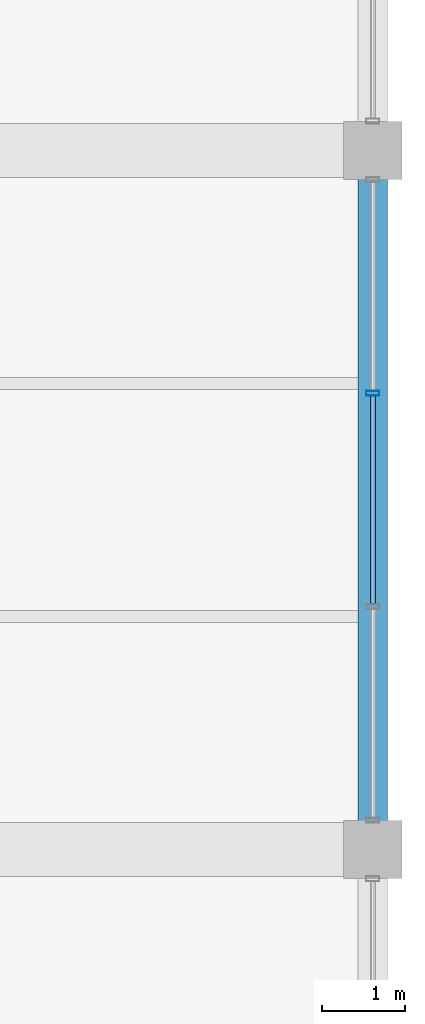
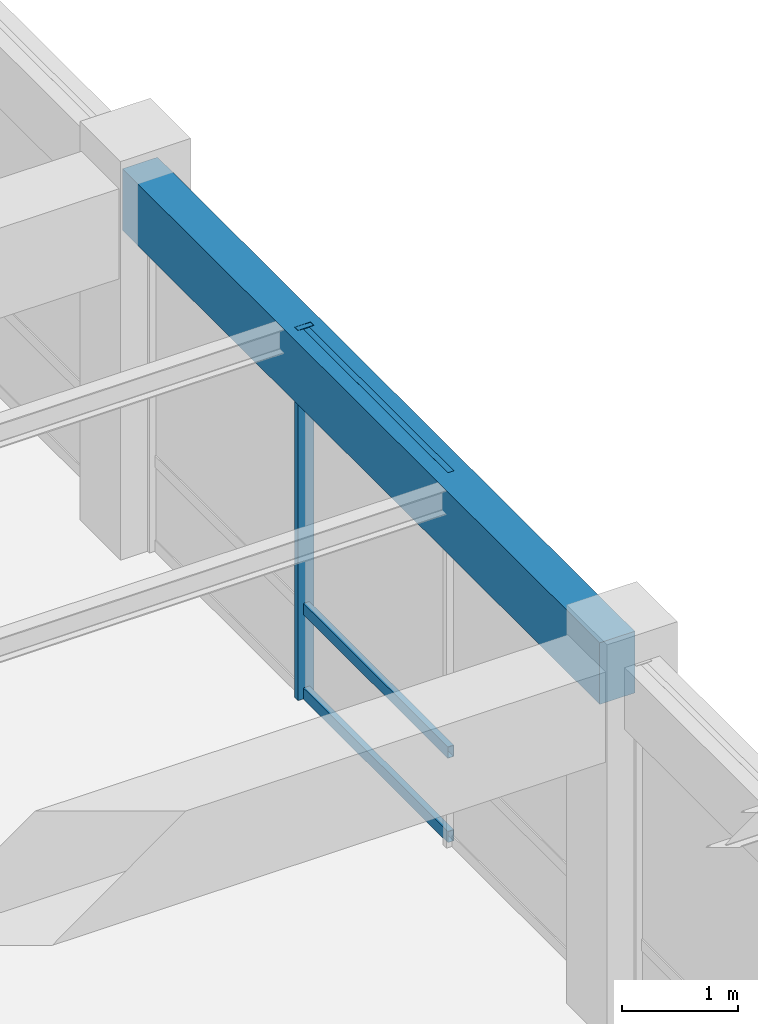
# One storey, part 89 of 152: 4 members, 1 beam, 1 element without a shape of its own.
"""IFC4 building model written with IfcOpenShell, lengths in metres."""

from ifc_helpers import new_model, si_unit, direction, frame, origin, origin_2d, place, context, subcontext, project, spatial, rectangle, hollow_rectangle, extrude, material, material_profile, profile_set, type_object, element, aggregate, save


model = new_model("IFC4")

# Units and contexts
model_context = context("Model", 3, precision=1e-05, world=origin(), true_north=direction((0.0, 1.0)))
body_context = subcontext(model_context, "Body", "Model", "MODEL_VIEW")
ifc_project = project(units=[si_unit("LENGTHUNIT", "METRE"), si_unit("AREAUNIT", "SQUARE_METRE"), si_unit("VOLUMEUNIT", "CUBIC_METRE"), si_unit("PLANEANGLEUNIT", "RADIAN"), si_unit("MASSUNIT", "GRAM", prefix="KILO"), si_unit("THERMODYNAMICTEMPERATUREUNIT", "KELVIN"), si_unit("POWERUNIT", "WATT")], contexts=[model_context])

# Site, building, storey
site_placement = place(None, origin())
site = spatial("IfcSite", under=ifc_project, at=site_placement, CompositionType="ELEMENT")
building_placement = place(site_placement, origin())
building = spatial("IfcBuilding", under=site, at=building_placement, Name="Darbajah Civic Hall", CompositionType="ELEMENT")
storey_placement = place(building_placement, frame((0.0, 0.0, 5.39990234375)))
storey = spatial("IfcBuildingStorey", under=building, at=storey_placement, Name="L01", CompositionType="ELEMENT", Elevation=5.39990234375)

# Curtain wall, members
ifc_material_1 = material(Name="Anodised Bronze Aluminium and Low-E Glazing", Category="aluminium")
curtain_wall_type = type_object("IfcCurtainWallType", Name="Unitised Curtain Wall CW-52 7700x3900", PredefinedType="USERDEFINED", material=ifc_material_1)
curtain_wall_placement = place(storey_placement, origin())
curtain_wall = element("IfcCurtainWall", 1, at=curtain_wall_placement, inside=storey, type_object=curtain_wall_type, Name="L01 unitised curtain wall CW-V3-L01-S3-B2", ObjectType="UNITISED CURTAIN WALL", PredefinedType="USERDEFINED")
ifc_material_2 = material(Name="Anodised Bronze Aluminium", Category="aluminium")
ifc_material_profile_1 = material_profile(ifc_material_2, hollow_rectangle(XDim=0.06005859375, YDim=0.159912109375, WallThickness=0.00341796875, at=origin_2d()), Name="ALU MULLION 60x160")
ifc_profile_set_1 = profile_set([ifc_material_profile_1], Name="Anodised Bronze Aluminium")
member_type_1 = type_object("IfcMemberType", Name="ALU MULLION 60x160", PredefinedType="MULLION", material=ifc_profile_set_1)
member_1_placement = place(storey_placement, frame((178.199951171875, 30.6826171875, 0.0), z_axis=(0.0, 0.0, 1.0), x_axis=(0.0, 1.0, 0.0)))
member_1 = element("IfcMember", 2, at=member_1_placement, type_object=member_type_1, Name="CW-V3-L01-S3-B2 mullion 3", PredefinedType="MULLION", context=body_context, shape_type="SweptSolid", body=[
    extrude(hollow_rectangle(XDim=0.06005859375, YDim=0.159912109375, WallThickness=0.00341796875, at=origin_2d()), origin(), (0.0, 0.0, 1.0), 3.900146484375),
])
ifc_material_profile_2 = material_profile(ifc_material_2, hollow_rectangle(XDim=0.06005859375, YDim=0.1201171875, WallThickness=0.003173828125, at=origin_2d()), Name="ALU TRANSOM 60x120")
ifc_profile_set_2 = profile_set([ifc_material_profile_2], Name="Anodised Bronze Aluminium")
member_type_2 = type_object("IfcMemberType", Name="ALU TRANSOM 60x120", PredefinedType="USERDEFINED", material=ifc_profile_set_2)
member_2_placement = place(storey_placement, frame((178.199951171875, 28.15234375, 0.06005859375), z_axis=(0.0, 1.0, 0.0), x_axis=(-1.0, 0.0, 0.0)))
member_2 = element("IfcMember", 3, at=member_2_placement, type_object=member_type_2, Name="CW-V3-L01-S3-B2 transom 2.1", ObjectType="TRANSOM", PredefinedType="USERDEFINED", context=body_context, shape_type="SweptSolid", body=[
    extrude(hollow_rectangle(XDim=0.06005859375, YDim=0.1201171875, WallThickness=0.003173828125, at=origin_2d()), origin(), (0.0, 0.0, 1.0), 2.495361328125),
])
member_3_placement = place(storey_placement, frame((178.199951171875, 28.15234375, 0.9501953125), z_axis=(0.0, 1.0, 0.0), x_axis=(-1.0, 0.0, 0.0)))
member_3 = element("IfcMember", 4, at=member_3_placement, type_object=member_type_2, Name="CW-V3-L01-S3-B2 transom 2.2", ObjectType="TRANSOM", PredefinedType="USERDEFINED", context=body_context, shape_type="SweptSolid", body=[
    extrude(hollow_rectangle(XDim=0.06005859375, YDim=0.1201171875, WallThickness=0.003173828125, at=origin_2d()), origin(), (0.0, 0.0, 1.0), 2.495361328125),
])
member_4_placement = place(storey_placement, frame((178.199951171875, 28.15234375, 3.840087890625), z_axis=(0.0, 1.0, 0.0), x_axis=(-1.0, 0.0, 0.0)))
member_4 = element("IfcMember", 5, at=member_4_placement, type_object=member_type_2, Name="CW-V3-L01-S3-B2 transom 2.3", ObjectType="TRANSOM", PredefinedType="USERDEFINED", context=body_context, shape_type="SweptSolid", body=[
    extrude(hollow_rectangle(XDim=0.06005859375, YDim=0.1201171875, WallThickness=0.003173828125, at=origin_2d()), origin(), (0.0, 0.0, 1.0), 2.495361328125),
])
aggregate(curtain_wall, [member_1, member_2, member_3, member_4])

# Beam
ifc_material_3 = material(Name="Concrete C45/55", Category="concrete")
ifc_material_profile_3 = material_profile(ifc_material_3, rectangle(XDim=0.35009765625, YDim=0.64990234375, at=origin_2d()), Name="RC SPANDREL 350x650")
ifc_profile_set_3 = profile_set([ifc_material_profile_3], Name="Concrete C45/55")
beam_type = type_object("IfcBeamType", Name="RC SPANDREL 350x650", PredefinedType="SPANDREL", material=ifc_profile_set_3)
beam_placement = place(storey_placement, frame((178.199951171875, 25.280029296875, 3.5751953125), z_axis=(0.0, 1.0, 0.0), x_axis=(-1.0, 0.0, 0.0)))
element("IfcBeam", 6, at=beam_placement, inside=storey, type_object=beam_type, Name="L01 beam SP-3565", PredefinedType="SPANDREL", context=body_context, shape_type="SweptSolid", body=[
    extrude(rectangle(XDim=0.35009765625, YDim=0.64990234375, at=origin_2d()), origin(), (0.0, 0.0, 1.0), 8.239990234375),
])

save(model, "model.ifc")
